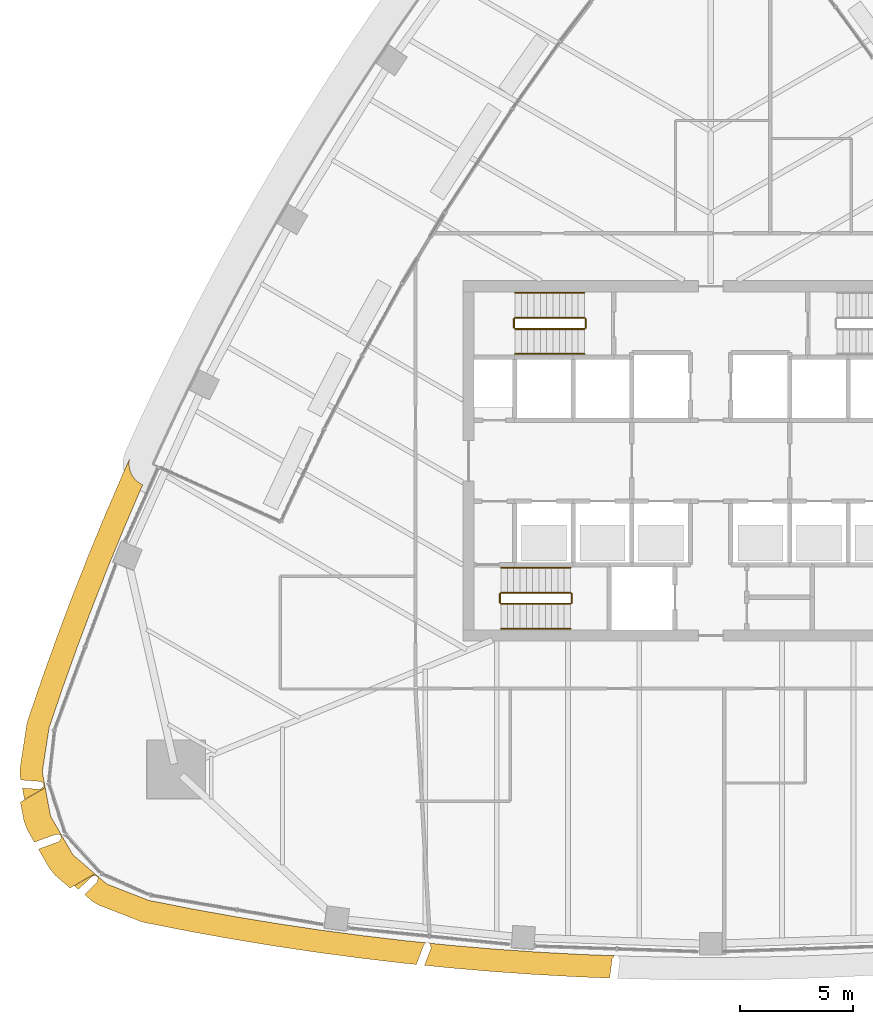
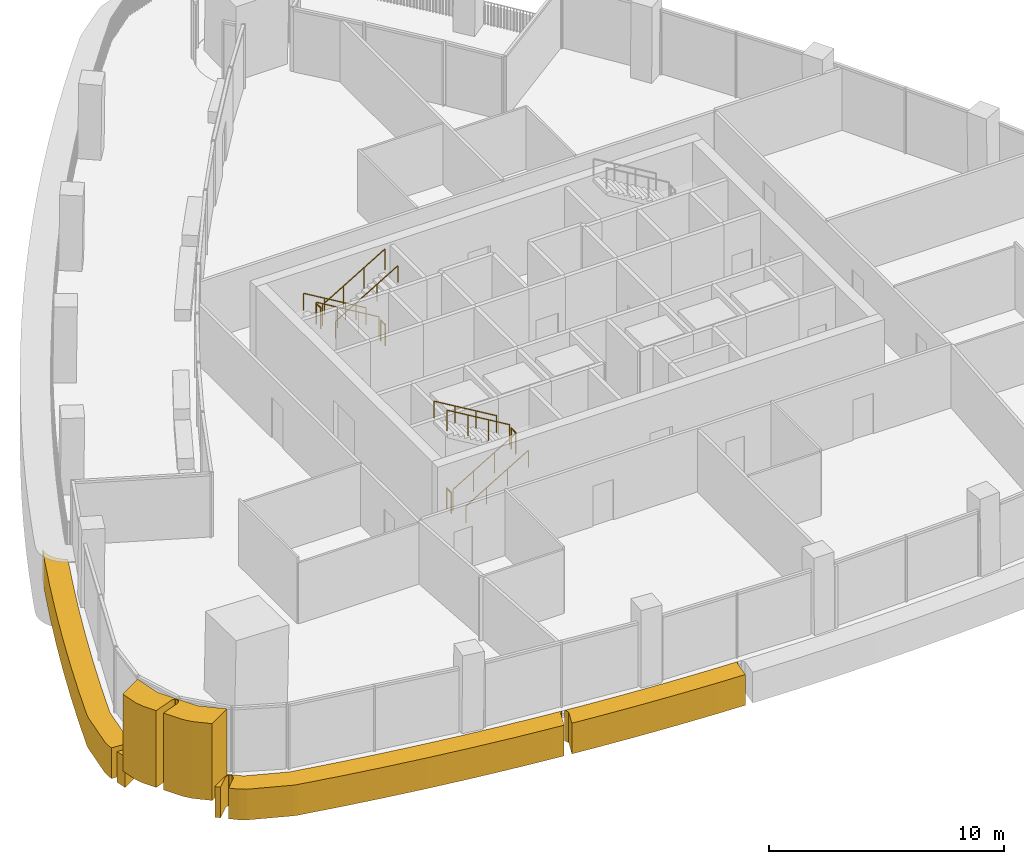
# One storey, part 15 of 19: 12 railings, 4 coverings.
"""IFC4 building model written with IfcOpenShell, lengths in metres."""

from ifc_helpers import new_model, si_unit, direction, frame, origin, origin_2d, place, context, subcontext, project, spatial, polyline, circle, outline, extrude, material, layer, layer_set, type_object, element, save


model = new_model("IFC4")

# Units and contexts
model_context = context("Model", 3, precision=1e-05, world=origin(), true_north=direction((0.0, 1.0)))
body_context = subcontext(model_context, "Body", "Model", "MODEL_VIEW")
ifc_project = project(units=[si_unit("LENGTHUNIT", "METRE"), si_unit("AREAUNIT", "SQUARE_METRE"), si_unit("VOLUMEUNIT", "CUBIC_METRE"), si_unit("PLANEANGLEUNIT", "RADIAN"), si_unit("MASSUNIT", "GRAM", prefix="KILO")], contexts=[model_context])

# Site, building, storey
site_placement = place(None, origin())
site = spatial("IfcSite", under=ifc_project, at=site_placement, CompositionType="ELEMENT")
building_placement = place(site_placement, origin())
building = spatial("IfcBuilding", under=site, at=building_placement, Name="Sierra Prisma Convention Tower", CompositionType="ELEMENT")
storey_placement = place(building_placement, frame((0.0, 0.0, 173.800048828125)))
storey = spatial("IfcBuildingStorey", under=building, at=storey_placement, Name="L38", CompositionType="ELEMENT", Elevation=173.800048828125)

# Coverings
ifc_material_1 = material(Name="Aluminium composite bronze anodised", Category="aluminium")
ifc_layer_1 = layer(ifc_material_1, 1.199951171875)
ifc_layer_set_1 = layer_set([ifc_layer_1], Name="Bronze corner pier")
covering_type_1 = type_object("IfcCoveringType", Name="Bronze corner pier", PredefinedType="CLADDING", material=ifc_layer_set_1)
covering_1_placement = place(storey_placement, frame((0.0, 0.0, -0.60009765625)))
element("IfcCovering", 1, at=covering_1_placement, inside=storey, type_object=covering_type_1, Name="Corner pier SW L38.1", PredefinedType="CLADDING", context=body_context, shape_type="SweptSolid", body=[
    extrude(outline(polyline([(-29.08056640625, -18.397216796875), (-29.338134765625, -18.086669921875), (-29.8330078125, -17.22998046875), (-28.927978515625, -16.900634765625), (-28.923583984375, -16.898681640625), (-28.919677734375, -16.896484375), (-28.915771484375, -16.89404296875), (-28.912109375, -16.89111328125), (-28.90869140625, -16.887939453125), (-28.90576171875, -16.884521484375), (-28.903076171875, -16.880615234375), (-28.81689453125, -16.74658203125), (-28.814453125, -16.7421875), (-28.8125, -16.737548828125), (-28.810791015625, -16.73291015625), (-28.809814453125, -16.72802734375), (-28.80908203125, -16.72314453125), (-28.80908203125, -16.71826171875), (-28.809326171875, -16.713134765625), (-28.810302734375, -16.708251953125), (-28.8115234375, -16.70361328125), (-28.8134765625, -16.698974609375), (-28.815673828125, -16.694580078125), (-28.86572265625, -16.60791015625), (-28.868408203125, -16.603515625), (-28.87158203125, -16.599609375), (-28.87548828125, -16.595703125), (-28.87939453125, -16.592529296875), (-28.8837890625, -16.589599609375), (-28.88818359375, -16.58740234375), (-28.89306640625, -16.58544921875), (-28.898193359375, -16.583984375), (-28.9033203125, -16.583251953125), (-29.02490234375, -16.569091796875), (-29.029541015625, -16.568603515625), (-29.0341796875, -16.56884765625), (-29.038818359375, -16.5693359375), (-29.043212890625, -16.5703125), (-29.047607421875, -16.57177734375), (-30.010498046875, -16.922119140625), (-30.332763671875, -16.3642578125), (-30.472900390625, -15.98583984375), (-30.630859375, -15.144287109375), (-29.529296875, -14.50830078125), (-29.29345703125, -15.764404296875), (-28.299072265625, -17.48681640625), (-27.329345703125, -18.319091796875), (-28.430908203125, -18.954833984375), (-29.08056640625, -18.397216796875)])), origin(), (0.0, 0.0, 1.0), 4.0),
])
ifc_material_2 = material(Name="Aluminium composite bronze anodised", Category="aluminium")
ifc_layer_2 = layer(ifc_material_2, 1.0)
ifc_layer_set_2 = layer_set([ifc_layer_2], Name="Bronze spandrel band")
covering_type_2 = type_object("IfcCoveringType", Name="Bronze spandrel band", PredefinedType="CLADDING", material=ifc_layer_set_2)
covering_2_placement = place(storey_placement, frame((0.0, 0.0, -1.60009765625)))
element("IfcCovering", 2, at=covering_2_placement, inside=storey, type_object=covering_type_2, Name="Spandrel band L38.1", PredefinedType="CLADDING", context=body_context, shape_type="SweptSolid", body=[
    extrude(outline(polyline([(-29.01904296875, -7.845703125), (-28.33837890625, -6.0380859375), (-28.3330078125, -6.023681640625), (-27.62451171875, -4.22705078125), (-27.618408203125, -4.21240234375), (-26.882080078125, -2.427001953125), (-26.8759765625, -2.412841796875), (-26.11181640625, -0.638916015625), (-26.105712890625, -0.624755859375), (-25.782958984375, 0.093505859375), (-25.80029296875, -0.00341796875), (-25.80810546875, -0.103271484375), (-25.80615234375, -0.203369140625), (-25.79443359375, -0.302734375), (-25.77294921875, -0.400390625), (-25.741943359375, -0.495849609375), (-25.701904296875, -0.58740234375), (-25.653076171875, -0.6748046875), (-25.595703125, -0.7568359375), (-25.53076171875, -0.8330078125), (-25.458740234375, -0.902587890625), (-25.380126953125, -0.964599609375), (-25.2958984375, -1.018310546875), (-25.20654296875, -1.06396484375), (-25.206298828125, -1.064208984375), (-25.95751953125, -2.808349609375), (-26.694091796875, -4.59375), (-27.402587890625, -6.390380859375), (-28.0830078125, -8.197998046875), (-28.7353515625, -10.015869140625), (-29.359130859375, -11.84375), (-29.66064453125, -13.8095703125), (-29.53125, -14.498046875), (-30.44921875, -15.028076171875), (-30.545166015625, -14.51708984375), (-29.780517578125, -14.575439453125), (-29.775634765625, -14.575439453125), (-29.770751953125, -14.5751953125), (-29.765869140625, -14.57421875), (-29.760986328125, -14.572998046875), (-29.75634765625, -14.5712890625), (-29.751953125, -14.56884765625), (-29.747802734375, -14.566162109375), (-29.611083984375, -14.468505859375), (-29.607421875, -14.465576171875), (-29.60400390625, -14.46240234375), (-29.600830078125, -14.458740234375), (-29.59814453125, -14.454833984375), (-29.595703125, -14.450927734375), (-29.59375, -14.446533203125), (-29.59228515625, -14.442138671875), (-29.591064453125, -14.4375), (-29.59033203125, -14.432861328125), (-29.590087890625, -14.427978515625), (-29.59033203125, -14.42333984375), (-29.591064453125, -14.418701171875), (-29.609375, -14.3203125), (-29.610595703125, -14.315673828125), (-29.6123046875, -14.310791015625), (-29.6142578125, -14.306396484375), (-29.61669921875, -14.302001953125), (-29.61962890625, -14.298095703125), (-29.623046875, -14.29443359375), (-29.626708984375, -14.291015625), (-29.630615234375, -14.2880859375), (-29.635009765625, -14.28564453125), (-29.734130859375, -14.232177734375), (-29.73876953125, -14.22998046875), (-29.74365234375, -14.228271484375), (-29.748779296875, -14.22705078125), (-29.75390625, -14.226318359375), (-30.6123046875, -14.160888671875), (-30.6435546875, -13.994384765625), (-30.649169921875, -13.657958984375), (-30.34765625, -11.692138671875), (-30.3056640625, -11.520751953125), (-29.681640625, -9.69287109375), (-29.676513671875, -9.67822265625), (-29.0244140625, -7.8603515625), (-29.01904296875, -7.845703125)])), origin(), (0.0, 0.0, 1.0), 1.60009765625),
])
covering_3_placement = place(storey_placement, frame((0.0, 0.0, -1.60009765625)))
element("IfcCovering", 3, at=covering_3_placement, inside=storey, type_object=covering_type_2, Name="Spandrel band L38.2", PredefinedType="CLADDING", context=body_context, shape_type="SweptSolid", body=[
    extrude(outline(polyline([(-24.9365234375, -19.50390625), (-23.041748046875, -19.877685546875), (-21.141357421875, -20.2216796875), (-19.235595703125, -20.5361328125), (-17.325439453125, -20.82080078125), (-15.410888671875, -21.07568359375), (-13.492919921875, -21.30078125), (-12.618896484375, -21.3896484375), (-12.622314453125, -21.39013671875), (-12.627197265625, -21.391357421875), (-12.6318359375, -21.39306640625), (-12.63623046875, -21.39501953125), (-12.640380859375, -21.397705078125), (-12.644287109375, -21.400634765625), (-12.648193359375, -21.404052734375), (-12.727294921875, -21.484130859375), (-12.730712890625, -21.488037109375), (-12.73388671875, -21.4921875), (-12.736328125, -21.49658203125), (-12.738525390625, -21.50146484375), (-13.060791015625, -22.349853515625), (-13.593994140625, -22.2958984375), (-13.609375, -22.294189453125), (-15.527587890625, -22.069091796875), (-15.54296875, -22.06689453125), (-17.45751953125, -21.81201171875), (-17.472900390625, -21.809814453125), (-19.383056640625, -21.525146484375), (-19.3984375, -21.522705078125), (-21.30419921875, -21.208251953125), (-21.3193359375, -21.205810546875), (-23.219970703125, -20.861572265625), (-23.235107421875, -20.858642578125), (-25.1298828125, -20.485107421875), (-25.299560546875, -20.435791015625), (-27.15283203125, -19.7138671875), (-27.441162109375, -19.541015625), (-27.785888671875, -19.244873046875), (-27.23291015625, -18.703857421875), (-27.2294921875, -18.7001953125), (-27.226318359375, -18.6962890625), (-27.223876953125, -18.69189453125), (-27.2216796875, -18.687255859375), (-27.219970703125, -18.6826171875), (-27.21875, -18.677734375), (-27.18994140625, -18.52978515625), (-27.189208984375, -18.525146484375), (-27.189208984375, -18.520263671875), (-27.189208984375, -18.515380859375), (-27.18994140625, -18.5107421875), (-27.191162109375, -18.506103515625), (-27.192626953125, -18.501708984375), (-27.194580078125, -18.497314453125), (-27.197021484375, -18.4931640625), (-27.199951171875, -18.4892578125), (-27.203125, -18.485595703125), (-27.20654296875, -18.482421875), (-27.282470703125, -18.417236328125), (-27.286376953125, -18.414306640625), (-27.290283203125, -18.41162109375), (-27.294677734375, -18.409423828125), (-27.29931640625, -18.40771484375), (-27.303955078125, -18.406494140625), (-27.30859375, -18.405517578125), (-27.3134765625, -18.4052734375), (-27.318359375, -18.4052734375), (-27.3232421875, -18.40576171875), (-27.327880859375, -18.406982421875), (-27.45556640625, -18.441162109375), (-27.46044921875, -18.442626953125), (-27.465087890625, -18.44482421875), (-27.469482421875, -18.447265625), (-27.4736328125, -18.4501953125), (-27.4775390625, -18.45361328125), (-28.052490234375, -19.01611328125), (-28.2392578125, -18.855712890625), (-27.3212890625, -18.325927734375), (-26.789794921875, -18.781982421875), (-24.9365234375, -19.50390625)])), origin(), (0.0, 0.0, 1.0), 1.60009765625),
])
covering_4_placement = place(storey_placement, frame((0.0, 0.0, -1.60009765625)))
element("IfcCovering", 4, at=covering_4_placement, inside=storey, type_object=covering_type_2, Name="Spandrel band L38.6", PredefinedType="CLADDING", context=body_context, shape_type="SweptSolid", body=[
    extrude(outline(polyline([(-12.40869140625, -21.6162109375), (-12.408203125, -21.611083984375), (-12.408203125, -21.606201171875), (-12.408447265625, -21.601318359375), (-12.409423828125, -21.596435546875), (-12.410888671875, -21.591552734375), (-12.4658203125, -21.432861328125), (-12.467529296875, -21.428466796875), (-12.4697265625, -21.42431640625), (-12.472412109375, -21.42041015625), (-12.47509765625, -21.41650390625), (-12.478515625, -21.4130859375), (-12.482177734375, -21.41015625), (-12.48583984375, -21.4072265625), (-12.489990234375, -21.40478515625), (-12.494384765625, -21.40283203125), (-12.496826171875, -21.402099609375), (-11.5712890625, -21.49609375), (-9.647216796875, -21.661376953125), (-7.720458984375, -21.796630859375), (-5.7919921875, -21.90185546875), (-4.26416015625, -21.961181640625), (-4.268310546875, -21.963134765625), (-4.272705078125, -21.96533203125), (-4.276611328125, -21.968017578125), (-4.280517578125, -21.97119140625), (-4.28369140625, -21.974609375), (-4.286865234375, -21.978515625), (-4.365478515625, -22.08447265625), (-4.368408203125, -22.0888671875), (-4.370849609375, -22.09326171875), (-4.372802734375, -22.097900390625), (-4.374267578125, -22.102783203125), (-4.375, -22.10791015625), (-4.482421875, -22.95361328125), (-5.830810546875, -22.90087890625), (-5.846435546875, -22.900390625), (-7.77490234375, -22.795166015625), (-7.79052734375, -22.794189453125), (-9.717041015625, -22.658935546875), (-9.732666015625, -22.65771484375), (-11.656982421875, -22.492431640625), (-11.67236328125, -22.490966796875), (-12.7001953125, -22.386474609375), (-12.411376953125, -21.625732421875), (-12.409912109375, -21.62109375), (-12.40869140625, -21.6162109375)])), origin(), (0.0, 0.0, 1.0), 1.60009765625),
])

# Railings
ifc_material_3 = material(Name="Stainless steel", Category="steel")
railing_type_1 = type_object("IfcRailingType", Name="Exit stair handrail", PredefinedType="HANDRAIL", material=ifc_material_3)
railing_1_placement = place(storey_placement, frame((-9.300048828125, -7.449951171875, 0.16650390625)))
element("IfcRailing", 5, at=railing_1_placement, inside=storey, type_object=railing_type_1, Name="L38 S1 stair handrail 1", PredefinedType="HANDRAIL", context=body_context, shape_type="SweptSolid", body=[
    extrude(circle(Radius=0.02392578125, at=origin_2d()), frame((0.0, 0.0, 0.8759765625), z_axis=(0.85927862911, 0.0, 0.511507807912), x_axis=(0.0, 1.0, 0.0)), (0.0, 0.0, 1.0), 3.58447265625),
    extrude(circle(Radius=0.02099609375, at=origin_2d()), origin(), (0.0, 0.0, 1.0), 0.851806640625),
    extrude(circle(Radius=0.02099609375, at=origin_2d()), frame((1.026611328125, 0.0, 0.611083984375)), (0.0, 0.0, 1.0), 0.851806640625),
    extrude(circle(Radius=0.02099609375, at=origin_2d()), frame((2.053466796875, 0.0, 1.222412109375)), (0.0, 0.0, 1.0), 0.851806640625),
    extrude(circle(Radius=0.02099609375, at=origin_2d()), frame((3.080078125, 0.0, 1.83349609375)), (0.0, 0.0, 1.0), 0.851806640625),
])
railing_2_placement = place(storey_placement, frame((-6.219970703125, -4.75, 2.16650390625)))
element("IfcRailing", 6, at=railing_2_placement, inside=storey, type_object=railing_type_1, Name="L38 S1 stair handrail 2", PredefinedType="HANDRAIL", context=body_context, shape_type="SweptSolid", body=[
    extrude(circle(Radius=0.02392578125, at=origin_2d()), frame((0.0, 0.0, 0.8759765625), z_axis=(-0.85927862911, 0.0, 0.511507807912), x_axis=(0.0, -1.0, 0.0)), (0.0, 0.0, 1.0), 3.58447265625),
    extrude(circle(Radius=0.02099609375, at=origin_2d()), origin(), (0.0, 0.0, 1.0), 0.851806640625),
    extrude(circle(Radius=0.02099609375, at=origin_2d()), frame((-1.026611328125, 0.0, 0.611083984375)), (0.0, 0.0, 1.0), 0.851806640625),
    extrude(circle(Radius=0.02099609375, at=origin_2d()), frame((-2.053466796875, 0.0, 1.222412109375)), (0.0, 0.0, 1.0), 0.851806640625),
    extrude(circle(Radius=0.02099609375, at=origin_2d()), frame((-3.080078125, 0.0, 1.83349609375)), (0.0, 0.0, 1.0), 0.851806640625),
])
railing_3_placement = place(storey_placement, frame((-5.60009765625, 7.449951171875, 0.16650390625)))
element("IfcRailing", 7, at=railing_3_placement, inside=storey, type_object=railing_type_1, Name="L38 S3 stair handrail 1", PredefinedType="HANDRAIL", context=body_context, shape_type="SweptSolid", body=[
    extrude(circle(Radius=0.02392578125, at=origin_2d()), frame((0.0, 0.0, 0.8759765625), z_axis=(-0.859260807169, 0.0, 0.511537745687), x_axis=(0.0, -1.0, 0.0)), (0.0, 0.0, 1.0), 3.584228515625),
    extrude(circle(Radius=0.02099609375, at=origin_2d()), origin(), (0.0, 0.0, 1.0), 0.851806640625),
    extrude(circle(Radius=0.02099609375, at=origin_2d()), frame((-1.026611328125, 0.0, 0.611083984375)), (0.0, 0.0, 1.0), 0.851806640625),
    extrude(circle(Radius=0.02099609375, at=origin_2d()), frame((-2.05322265625, 0.0, 1.222412109375)), (0.0, 0.0, 1.0), 0.851806640625),
    extrude(circle(Radius=0.02099609375, at=origin_2d()), frame((-3.079833984375, 0.0, 1.83349609375)), (0.0, 0.0, 1.0), 0.851806640625),
])
railing_4_placement = place(storey_placement, frame((-8.679931640625, 4.75, 2.16650390625)))
element("IfcRailing", 8, at=railing_4_placement, inside=storey, type_object=railing_type_1, Name="L38 S3 stair handrail 2", PredefinedType="HANDRAIL", context=body_context, shape_type="SweptSolid", body=[
    extrude(circle(Radius=0.02392578125, at=origin_2d()), frame((0.0, 0.0, 0.8759765625), z_axis=(0.859260807169, 0.0, 0.511537745687), x_axis=(0.0, 1.0, 0.0)), (0.0, 0.0, 1.0), 3.584228515625),
    extrude(circle(Radius=0.02099609375, at=origin_2d()), origin(), (0.0, 0.0, 1.0), 0.851806640625),
    extrude(circle(Radius=0.02099609375, at=origin_2d()), frame((1.026611328125, 0.0, 0.611083984375)), (0.0, 0.0, 1.0), 0.851806640625),
    extrude(circle(Radius=0.02099609375, at=origin_2d()), frame((2.05322265625, 0.0, 1.222412109375)), (0.0, 0.0, 1.0), 0.851806640625),
    extrude(circle(Radius=0.02099609375, at=origin_2d()), frame((3.079833984375, 0.0, 1.83349609375)), (0.0, 0.0, 1.0), 0.851806640625),
])
ifc_material_4 = material(Name="Stainless steel", Category="steel")
railing_type_2 = type_object("IfcRailingType", Name="Stair guard 1100", PredefinedType="GUARDRAIL", material=ifc_material_4)
railing_5_placement = place(storey_placement, frame((-9.300048828125, -6.35009765625, 0.16650390625)))
element("IfcRailing", 9, at=railing_5_placement, inside=storey, type_object=railing_type_2, Name="L38 S1 stair guard 1", PredefinedType="GUARDRAIL", context=body_context, shape_type="SweptSolid", body=[
    extrude(circle(Radius=0.02392578125, at=origin_2d()), frame((0.0, 0.0, 1.076171875), z_axis=(0.85927862911, 0.0, 0.511507807912), x_axis=(0.0, 1.0, 0.0)), (0.0, 0.0, 1.0), 3.58447265625),
    extrude(circle(Radius=0.02099609375, at=origin_2d()), origin(), (0.0, 0.0, 1.0), 1.052001953125),
    extrude(circle(Radius=0.02099609375, at=origin_2d()), frame((1.026611328125, 0.0, 0.611083984375)), (0.0, 0.0, 1.0), 1.052001953125),
    extrude(circle(Radius=0.02099609375, at=origin_2d()), frame((2.053466796875, 0.0, 1.222412109375)), (0.0, 0.0, 1.0), 1.052001953125),
    extrude(circle(Radius=0.02099609375, at=origin_2d()), frame((3.080078125, 0.0, 1.83349609375)), (0.0, 0.0, 1.0), 1.052001953125),
])
railing_6_placement = place(storey_placement, frame((-6.169921875, -6.300048828125, 2.0)))
element("IfcRailing", 10, at=railing_6_placement, inside=storey, type_object=railing_type_2, Name="L38 S1 stair guard 2", PredefinedType="GUARDRAIL", context=body_context, shape_type="SweptSolid", body=[
    extrude(circle(Radius=0.02392578125, at=origin_2d()), frame((0.0, 0.0, 1.076171875), z_axis=(0.0, 1.0, 0.0), x_axis=(-1.0, 0.0, 0.0)), (0.0, 0.0, 1.0), 0.400146484375),
    extrude(circle(Radius=0.02099609375, at=origin_2d()), origin(), (0.0, 0.0, 1.0), 1.052001953125),
    extrude(circle(Radius=0.02099609375, at=origin_2d()), frame((0.0, 0.400146484375, 0.0)), (0.0, 0.0, 1.0), 1.052001953125),
])
railing_7_placement = place(storey_placement, frame((-6.219970703125, -5.85009765625, 2.16650390625)))
element("IfcRailing", 11, at=railing_7_placement, inside=storey, type_object=railing_type_2, Name="L38 S1 stair guard 3", PredefinedType="GUARDRAIL", context=body_context, shape_type="SweptSolid", body=[
    extrude(circle(Radius=0.02392578125, at=origin_2d()), frame((0.0, 0.0, 1.076171875), z_axis=(-0.85927862911, 0.0, 0.511507807912), x_axis=(0.0, -1.0, 0.0)), (0.0, 0.0, 1.0), 3.58447265625),
    extrude(circle(Radius=0.02099609375, at=origin_2d()), origin(), (0.0, 0.0, 1.0), 1.052001953125),
    extrude(circle(Radius=0.02099609375, at=origin_2d()), frame((-1.026611328125, 0.0, 0.611083984375)), (0.0, 0.0, 1.0), 1.052001953125),
    extrude(circle(Radius=0.02099609375, at=origin_2d()), frame((-2.053466796875, 0.0, 1.222412109375)), (0.0, 0.0, 1.0), 1.052001953125),
    extrude(circle(Radius=0.02099609375, at=origin_2d()), frame((-3.080078125, 0.0, 1.83349609375)), (0.0, 0.0, 1.0), 1.052001953125),
])
railing_8_placement = place(storey_placement, frame((-9.35009765625, -6.300048828125, 0.0)))
element("IfcRailing", 12, at=railing_8_placement, inside=storey, type_object=railing_type_2, Name="L38 S1 stair guard 4", PredefinedType="GUARDRAIL", context=body_context, shape_type="SweptSolid", body=[
    extrude(circle(Radius=0.02392578125, at=origin_2d()), frame((0.0, 0.0, 1.076171875), z_axis=(0.0, 1.0, 0.0), x_axis=(-1.0, 0.0, 0.0)), (0.0, 0.0, 1.0), 0.400146484375),
    extrude(circle(Radius=0.02099609375, at=origin_2d()), origin(), (0.0, 0.0, 1.0), 1.052001953125),
    extrude(circle(Radius=0.02099609375, at=origin_2d()), frame((0.0, 0.400146484375, 0.0)), (0.0, 0.0, 1.0), 1.052001953125),
])
railing_9_placement = place(storey_placement, frame((-5.60009765625, 6.35009765625, 0.16650390625)))
element("IfcRailing", 13, at=railing_9_placement, inside=storey, type_object=railing_type_2, Name="L38 S3 stair guard 1", PredefinedType="GUARDRAIL", context=body_context, shape_type="SweptSolid", body=[
    extrude(circle(Radius=0.02392578125, at=origin_2d()), frame((0.0, 0.0, 1.076171875), z_axis=(-0.859260807169, 0.0, 0.511537745687), x_axis=(0.0, -1.0, 0.0)), (0.0, 0.0, 1.0), 3.584228515625),
    extrude(circle(Radius=0.02099609375, at=origin_2d()), origin(), (0.0, 0.0, 1.0), 1.052001953125),
    extrude(circle(Radius=0.02099609375, at=origin_2d()), frame((-1.026611328125, 0.0, 0.611083984375)), (0.0, 0.0, 1.0), 1.052001953125),
    extrude(circle(Radius=0.02099609375, at=origin_2d()), frame((-2.05322265625, 0.0, 1.222412109375)), (0.0, 0.0, 1.0), 1.052001953125),
    extrude(circle(Radius=0.02099609375, at=origin_2d()), frame((-3.079833984375, 0.0, 1.83349609375)), (0.0, 0.0, 1.0), 1.052001953125),
])
railing_10_placement = place(storey_placement, frame((-8.72998046875, 6.300048828125, 2.0)))
element("IfcRailing", 14, at=railing_10_placement, inside=storey, type_object=railing_type_2, Name="L38 S3 stair guard 2", PredefinedType="GUARDRAIL", context=body_context, shape_type="SweptSolid", body=[
    extrude(circle(Radius=0.02392578125, at=origin_2d()), frame((0.0, 0.0, 1.076171875), z_axis=(0.0, -1.0, 0.0), x_axis=(1.0, 0.0, 0.0)), (0.0, 0.0, 1.0), 0.400146484375),
    extrude(circle(Radius=0.02099609375, at=origin_2d()), origin(), (0.0, 0.0, 1.0), 1.052001953125),
    extrude(circle(Radius=0.02099609375, at=origin_2d()), frame((0.0, -0.400146484375, 0.0)), (0.0, 0.0, 1.0), 1.052001953125),
])
railing_11_placement = place(storey_placement, frame((-8.679931640625, 5.85009765625, 2.16650390625)))
element("IfcRailing", 15, at=railing_11_placement, inside=storey, type_object=railing_type_2, Name="L38 S3 stair guard 3", PredefinedType="GUARDRAIL", context=body_context, shape_type="SweptSolid", body=[
    extrude(circle(Radius=0.02392578125, at=origin_2d()), frame((0.0, 0.0, 1.076171875), z_axis=(0.859260807169, 0.0, 0.511537745687), x_axis=(0.0, 1.0, 0.0)), (0.0, 0.0, 1.0), 3.584228515625),
    extrude(circle(Radius=0.02099609375, at=origin_2d()), origin(), (0.0, 0.0, 1.0), 1.052001953125),
    extrude(circle(Radius=0.02099609375, at=origin_2d()), frame((1.026611328125, 0.0, 0.611083984375)), (0.0, 0.0, 1.0), 1.052001953125),
    extrude(circle(Radius=0.02099609375, at=origin_2d()), frame((2.05322265625, 0.0, 1.222412109375)), (0.0, 0.0, 1.0), 1.052001953125),
    extrude(circle(Radius=0.02099609375, at=origin_2d()), frame((3.079833984375, 0.0, 1.83349609375)), (0.0, 0.0, 1.0), 1.052001953125),
])
railing_12_placement = place(storey_placement, frame((-5.550048828125, 6.300048828125, 0.0)))
element("IfcRailing", 16, at=railing_12_placement, inside=storey, type_object=railing_type_2, Name="L38 S3 stair guard 4", PredefinedType="GUARDRAIL", context=body_context, shape_type="SweptSolid", body=[
    extrude(circle(Radius=0.02392578125, at=origin_2d()), frame((0.0, 0.0, 1.076171875), z_axis=(0.0, -1.0, 0.0), x_axis=(1.0, 0.0, 0.0)), (0.0, 0.0, 1.0), 0.400146484375),
    extrude(circle(Radius=0.02099609375, at=origin_2d()), origin(), (0.0, 0.0, 1.0), 1.052001953125),
    extrude(circle(Radius=0.02099609375, at=origin_2d()), frame((0.0, -0.400146484375, 0.0)), (0.0, 0.0, 1.0), 1.052001953125),
])

save(model, "model.ifc")
